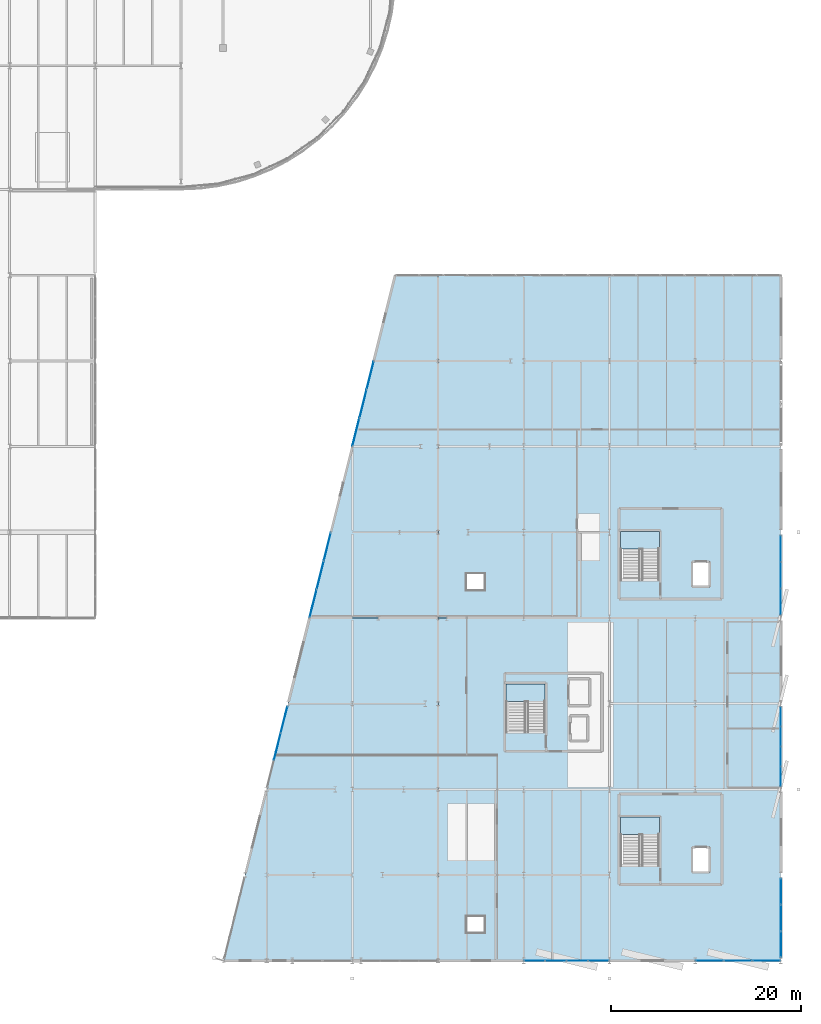
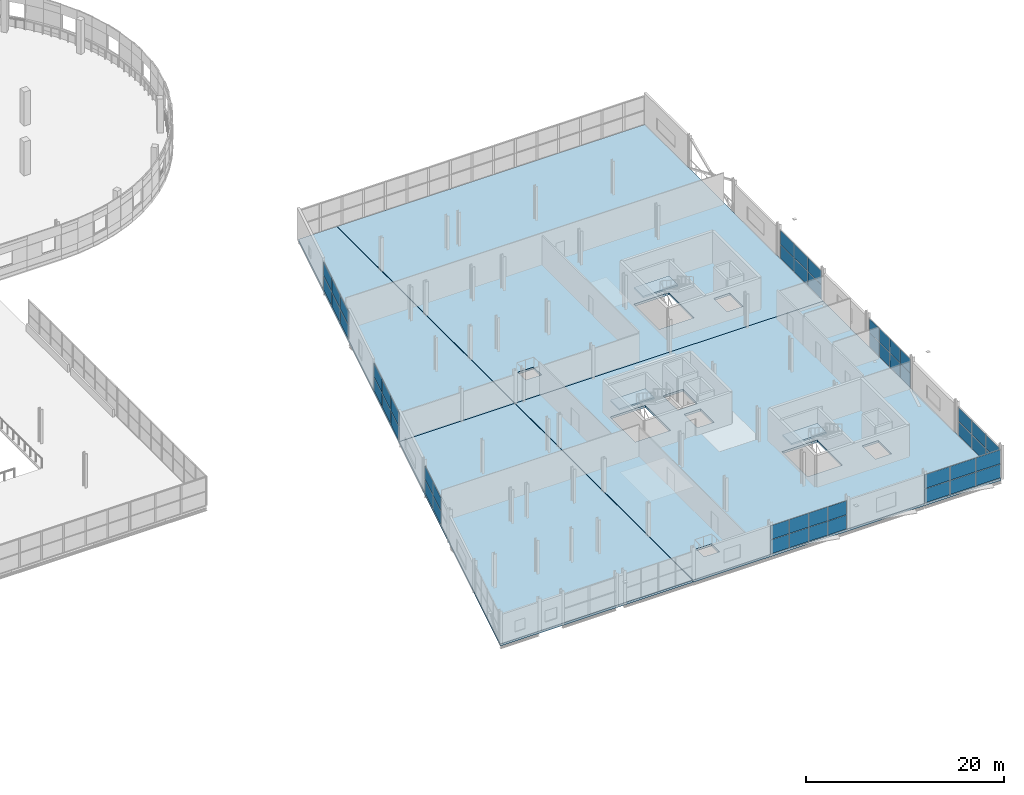
# One storey, part 66 of 88: 50 plates, 7 slabs, 11 elements without a shape of their own.
"""IFC4 building model written with IfcOpenShell, lengths in metres."""

from ifc_helpers import new_model, si_unit, direction, frame, origin, origin_2d, place, context, subcontext, project, spatial, polyline, rectangle, outline, extrude, material, layer, layer_set, type_object, element, aggregate, save


model = new_model("IFC4")

# Units and contexts
model_context = context("Model", 3, precision=1e-05, world=origin(), true_north=direction((0.0, 1.0)))
body_context = subcontext(model_context, "Body", "Model", "MODEL_VIEW")
ifc_project = project(units=[si_unit("LENGTHUNIT", "METRE"), si_unit("AREAUNIT", "SQUARE_METRE"), si_unit("VOLUMEUNIT", "CUBIC_METRE"), si_unit("PLANEANGLEUNIT", "RADIAN"), si_unit("MASSUNIT", "GRAM", prefix="KILO")], contexts=[model_context])

# Site, building, storey
site_placement = place(None, origin())
site = spatial("IfcSite", under=ifc_project, at=site_placement, CompositionType="ELEMENT")
building_placement = place(site_placement, origin())
building = spatial("IfcBuilding", under=site, at=building_placement, Name="Deido Ridge Mobility Hub", CompositionType="ELEMENT")
storey_placement = place(building_placement, frame((0.0, 0.0, 16.800048828125)))
storey = spatial("IfcBuildingStorey", under=building, at=storey_placement, Name="L04", CompositionType="ELEMENT", Elevation=16.800048828125)

# Curtain wall, plates
ifc_material_1 = material(Name="Anodised aluminium EN AW-6063 T6", Category="aluminium")
ifc_layer_1 = layer(ifc_material_1, 0.1650390625, Name="Anodised aluminium EN AW-6063 T6")
ifc_layer_set_1 = layer_set([ifc_layer_1], Name="Anodised aluminium EN AW-6063 T6")
curtain_wall_type_1 = type_object("IfcCurtainWallType", Name="CW-UF-1", PredefinedType="USERDEFINED", material=ifc_layer_set_1)
curtain_wall_1_placement = place(storey_placement, origin())
curtain_wall_1 = element("IfcCurtainWall", 1, at=curtain_wall_1_placement, inside=storey, type_object=curtain_wall_type_1, Name="Unitised curtain wall CW1", ObjectType="UNITISED FACADE", PredefinedType="USERDEFINED")
ifc_material_2 = material(Name="Laminated solar-control low-E glass", Category="glass")
ifc_layer_2 = layer(ifc_material_2, 0.02587890625, Name="Laminated solar-control low-E glass")
ifc_layer_set_2 = layer_set([ifc_layer_2], Name="Laminated solar-control low-E glass")
plate_type_1 = type_object("IfcPlateType", Name="PLT-CWP-26", PredefinedType="CURTAIN_PANEL", material=ifc_layer_set_2)
plate_1_placement = place(storey_placement, frame((180.0, 19.362548828125, 0.0498046875), z_axis=(0.0, 0.0, 1.0), x_axis=(0.0, 1.0, 0.0)))
plate_1 = element("IfcPlate", 2, at=plate_1_placement, type_object=plate_type_1, Name="CW1 panel 1.1", PredefinedType="CURTAIN_PANEL", context=body_context, shape_type="SweptSolid", body=[
    extrude(rectangle(XDim=2.02490234375, YDim=0.02587890625, at=origin_2d()), origin(), (0.0, 0.0, 1.0), 1.72509765625),
])
plate_2_placement = place(storey_placement, frame((180.0, 19.362548828125, 1.824951171875), z_axis=(0.0, 0.0, 1.0), x_axis=(0.0, 1.0, 0.0)))
plate_2 = element("IfcPlate", 3, at=plate_2_placement, type_object=plate_type_1, Name="CW1 panel 1.2", PredefinedType="CURTAIN_PANEL", context=body_context, shape_type="SweptSolid", body=[
    extrude(rectangle(XDim=2.02490234375, YDim=0.02587890625, at=origin_2d()), origin(), (0.0, 0.0, 1.0), 1.72509765625),
])
plate_3_placement = place(storey_placement, frame((180.0, 21.449951171875, 0.0498046875), z_axis=(0.0, 0.0, 1.0), x_axis=(0.0, 1.0, 0.0)))
plate_3 = element("IfcPlate", 4, at=plate_3_placement, type_object=plate_type_1, Name="CW1 panel 2.1", PredefinedType="CURTAIN_PANEL", context=body_context, shape_type="SweptSolid", body=[
    extrude(rectangle(XDim=2.050048828125, YDim=0.02587890625, at=origin_2d()), origin(), (0.0, 0.0, 1.0), 1.72509765625),
])
plate_4_placement = place(storey_placement, frame((180.0, 21.449951171875, 1.824951171875), z_axis=(0.0, 0.0, 1.0), x_axis=(0.0, 1.0, 0.0)))
plate_4 = element("IfcPlate", 5, at=plate_4_placement, type_object=plate_type_1, Name="CW1 panel 2.2", PredefinedType="CURTAIN_PANEL", context=body_context, shape_type="SweptSolid", body=[
    extrude(rectangle(XDim=2.050048828125, YDim=0.02587890625, at=origin_2d()), origin(), (0.0, 0.0, 1.0), 1.72509765625),
])
plate_5_placement = place(storey_placement, frame((180.0, 23.550048828125, 0.0498046875), z_axis=(0.0, 0.0, 1.0), x_axis=(0.0, 1.0, 0.0)))
plate_5 = element("IfcPlate", 6, at=plate_5_placement, type_object=plate_type_1, Name="CW1 panel 3.1", PredefinedType="CURTAIN_PANEL", context=body_context, shape_type="SweptSolid", body=[
    extrude(rectangle(XDim=2.050048828125, YDim=0.02587890625, at=origin_2d()), origin(), (0.0, 0.0, 1.0), 1.72509765625),
])
plate_6_placement = place(storey_placement, frame((180.0, 23.550048828125, 1.824951171875), z_axis=(0.0, 0.0, 1.0), x_axis=(0.0, 1.0, 0.0)))
plate_6 = element("IfcPlate", 7, at=plate_6_placement, type_object=plate_type_1, Name="CW1 panel 3.2", PredefinedType="CURTAIN_PANEL", context=body_context, shape_type="SweptSolid", body=[
    extrude(rectangle(XDim=2.050048828125, YDim=0.02587890625, at=origin_2d()), origin(), (0.0, 0.0, 1.0), 1.72509765625),
])
plate_7_placement = place(storey_placement, frame((180.0, 25.637451171875, 0.0498046875), z_axis=(0.0, 0.0, 1.0), x_axis=(0.0, 1.0, 0.0)))
plate_7 = element("IfcPlate", 8, at=plate_7_placement, type_object=plate_type_1, Name="CW1 panel 4.1", PredefinedType="CURTAIN_PANEL", context=body_context, shape_type="SweptSolid", body=[
    extrude(rectangle(XDim=2.02490234375, YDim=0.02587890625, at=origin_2d()), origin(), (0.0, 0.0, 1.0), 1.72509765625),
])
plate_8_placement = place(storey_placement, frame((180.0, 25.637451171875, 1.824951171875), z_axis=(0.0, 0.0, 1.0), x_axis=(0.0, 1.0, 0.0)))
plate_8 = element("IfcPlate", 9, at=plate_8_placement, type_object=plate_type_1, Name="CW1 panel 4.2", PredefinedType="CURTAIN_PANEL", context=body_context, shape_type="SweptSolid", body=[
    extrude(rectangle(XDim=2.02490234375, YDim=0.02587890625, at=origin_2d()), origin(), (0.0, 0.0, 1.0), 1.72509765625),
])
aggregate(curtain_wall_1, [plate_1, plate_2, plate_3, plate_4, plate_5, plate_6, plate_7, plate_8])

ifc_layer_3 = layer(ifc_material_1, 0.195068359375, Name="Anodised aluminium EN AW-6063 T6")
ifc_layer_set_3 = layer_set([ifc_layer_3], Name="Anodised aluminium EN AW-6063 T6")
curtain_wall_type_2 = type_object("IfcCurtainWallType", Name="CW-UF-3", PredefinedType="USERDEFINED", material=ifc_layer_set_3)
curtain_wall_2_placement = place(storey_placement, origin())
curtain_wall_2 = element("IfcCurtainWall", 10, at=curtain_wall_2_placement, inside=storey, type_object=curtain_wall_type_2, Name="Unitised curtain wall CW3", ObjectType="UNITISED FACADE", PredefinedType="USERDEFINED")
ifc_layer_4 = layer(ifc_material_2, 0.031005859375, Name="Laminated solar-control low-E glass")
ifc_layer_set_4 = layer_set([ifc_layer_4], Name="Laminated solar-control low-E glass")
plate_type_2 = type_object("IfcPlateType", Name="PLT-CWP-31", PredefinedType="CURTAIN_PANEL", material=ifc_layer_set_4)
plate_9_placement = place(storey_placement, frame((154.145751953125, 0.0, 0.06005859375), z_axis=(0.0, 0.0, 1.0), x_axis=(1.0, 0.0, 0.0)))
plate_9 = element("IfcPlate", 11, at=plate_9_placement, type_object=plate_type_2, Name="CW3 panel 1.1", PredefinedType="CURTAIN_PANEL", context=body_context, shape_type="SweptSolid", body=[
    extrude(rectangle(XDim=2.15625, YDim=0.031005859375, at=origin_2d()), origin(), (0.0, 0.0, 1.0), 1.7099609375),
])
plate_10_placement = place(storey_placement, frame((154.145751953125, 0.0, 1.830078125), z_axis=(0.0, 0.0, 1.0), x_axis=(1.0, 0.0, 0.0)))
plate_10 = element("IfcPlate", 12, at=plate_10_placement, type_object=plate_type_2, Name="CW3 panel 1.2", PredefinedType="CURTAIN_PANEL", context=body_context, shape_type="SweptSolid", body=[
    extrude(rectangle(XDim=2.15625, YDim=0.031005859375, at=origin_2d()), origin(), (0.0, 0.0, 1.0), 1.7099609375),
])
plate_11_placement = place(storey_placement, frame((156.376953125, 0.0, 0.06005859375), z_axis=(0.0, 0.0, 1.0), x_axis=(1.0, 0.0, 0.0)))
plate_11 = element("IfcPlate", 13, at=plate_11_placement, type_object=plate_type_2, Name="CW3 panel 2.1", PredefinedType="CURTAIN_PANEL", context=body_context, shape_type="SweptSolid", body=[
    extrude(rectangle(XDim=2.18603515625, YDim=0.031005859375, at=origin_2d()), origin(), (0.0, 0.0, 1.0), 1.7099609375),
])
plate_12_placement = place(storey_placement, frame((156.376953125, 0.0, 1.830078125), z_axis=(0.0, 0.0, 1.0), x_axis=(1.0, 0.0, 0.0)))
plate_12 = element("IfcPlate", 14, at=plate_12_placement, type_object=plate_type_2, Name="CW3 panel 2.2", PredefinedType="CURTAIN_PANEL", context=body_context, shape_type="SweptSolid", body=[
    extrude(rectangle(XDim=2.18603515625, YDim=0.031005859375, at=origin_2d()), origin(), (0.0, 0.0, 1.0), 1.7099609375),
])
plate_13_placement = place(storey_placement, frame((158.623046875, 0.0, 0.06005859375), z_axis=(0.0, 0.0, 1.0), x_axis=(1.0, 0.0, 0.0)))
plate_13 = element("IfcPlate", 15, at=plate_13_placement, type_object=plate_type_2, Name="CW3 panel 3.1", PredefinedType="CURTAIN_PANEL", context=body_context, shape_type="SweptSolid", body=[
    extrude(rectangle(XDim=2.18603515625, YDim=0.031005859375, at=origin_2d()), origin(), (0.0, 0.0, 1.0), 1.7099609375),
])
plate_14_placement = place(storey_placement, frame((158.623046875, 0.0, 1.830078125), z_axis=(0.0, 0.0, 1.0), x_axis=(1.0, 0.0, 0.0)))
plate_14 = element("IfcPlate", 16, at=plate_14_placement, type_object=plate_type_2, Name="CW3 panel 3.2", PredefinedType="CURTAIN_PANEL", context=body_context, shape_type="SweptSolid", body=[
    extrude(rectangle(XDim=2.18603515625, YDim=0.031005859375, at=origin_2d()), origin(), (0.0, 0.0, 1.0), 1.7099609375),
])
plate_15_placement = place(storey_placement, frame((160.854248046875, 0.0, 0.06005859375), z_axis=(0.0, 0.0, 1.0), x_axis=(1.0, 0.0, 0.0)))
plate_15 = element("IfcPlate", 17, at=plate_15_placement, type_object=plate_type_2, Name="CW3 panel 4.1", PredefinedType="CURTAIN_PANEL", context=body_context, shape_type="SweptSolid", body=[
    extrude(rectangle(XDim=2.15625, YDim=0.031005859375, at=origin_2d()), origin(), (0.0, 0.0, 1.0), 1.7099609375),
])
plate_16_placement = place(storey_placement, frame((160.854248046875, 0.0, 1.830078125), z_axis=(0.0, 0.0, 1.0), x_axis=(1.0, 0.0, 0.0)))
plate_16 = element("IfcPlate", 18, at=plate_16_placement, type_object=plate_type_2, Name="CW3 panel 4.2", PredefinedType="CURTAIN_PANEL", context=body_context, shape_type="SweptSolid", body=[
    extrude(rectangle(XDim=2.15625, YDim=0.031005859375, at=origin_2d()), origin(), (0.0, 0.0, 1.0), 1.7099609375),
])
aggregate(curtain_wall_2, [plate_9, plate_10, plate_11, plate_12, plate_13, plate_14, plate_15, plate_16])

curtain_wall_3_placement = place(storey_placement, origin())
curtain_wall_3 = element("IfcCurtainWall", 19, at=curtain_wall_3_placement, inside=storey, type_object=curtain_wall_type_2, Name="Unitised curtain wall CW3", ObjectType="UNITISED FACADE", PredefinedType="USERDEFINED")
plate_17_placement = place(storey_placement, frame((180.0, 37.715087890625, 0.06005859375), z_axis=(0.0, 0.0, 1.0), x_axis=(0.0, 1.0, 0.0)))
plate_17 = element("IfcPlate", 20, at=plate_17_placement, type_object=plate_type_2, Name="CW3 panel 1.1", PredefinedType="CURTAIN_PANEL", context=body_context, shape_type="SweptSolid", body=[
    extrude(rectangle(XDim=2.7099609375, YDim=0.031005859375, at=origin_2d()), origin(), (0.0, 0.0, 1.0), 1.7099609375),
])
plate_18_placement = place(storey_placement, frame((180.0, 37.715087890625, 1.830078125), z_axis=(0.0, 0.0, 1.0), x_axis=(0.0, 1.0, 0.0)))
plate_18 = element("IfcPlate", 21, at=plate_18_placement, type_object=plate_type_2, Name="CW3 panel 1.2", PredefinedType="CURTAIN_PANEL", context=body_context, shape_type="SweptSolid", body=[
    extrude(rectangle(XDim=2.7099609375, YDim=0.031005859375, at=origin_2d()), origin(), (0.0, 0.0, 1.0), 1.7099609375),
])
plate_19_placement = place(storey_placement, frame((180.0, 40.5, 0.06005859375), z_axis=(0.0, 0.0, 1.0), x_axis=(0.0, 1.0, 0.0)))
plate_19 = element("IfcPlate", 22, at=plate_19_placement, type_object=plate_type_2, Name="CW3 panel 2.1", PredefinedType="CURTAIN_PANEL", context=body_context, shape_type="SweptSolid", body=[
    extrude(rectangle(XDim=2.739990234375, YDim=0.031005859375, at=origin_2d()), origin(), (0.0, 0.0, 1.0), 1.7099609375),
])
plate_20_placement = place(storey_placement, frame((180.0, 40.5, 1.830078125), z_axis=(0.0, 0.0, 1.0), x_axis=(0.0, 1.0, 0.0)))
plate_20 = element("IfcPlate", 23, at=plate_20_placement, type_object=plate_type_2, Name="CW3 panel 2.2", PredefinedType="CURTAIN_PANEL", context=body_context, shape_type="SweptSolid", body=[
    extrude(rectangle(XDim=2.739990234375, YDim=0.031005859375, at=origin_2d()), origin(), (0.0, 0.0, 1.0), 1.7099609375),
])
plate_21_placement = place(storey_placement, frame((180.0, 43.284912109375, 0.06005859375), z_axis=(0.0, 0.0, 1.0), x_axis=(0.0, 1.0, 0.0)))
plate_21 = element("IfcPlate", 24, at=plate_21_placement, type_object=plate_type_2, Name="CW3 panel 3.1", PredefinedType="CURTAIN_PANEL", context=body_context, shape_type="SweptSolid", body=[
    extrude(rectangle(XDim=2.7099609375, YDim=0.031005859375, at=origin_2d()), origin(), (0.0, 0.0, 1.0), 1.7099609375),
])
plate_22_placement = place(storey_placement, frame((180.0, 43.284912109375, 1.830078125), z_axis=(0.0, 0.0, 1.0), x_axis=(0.0, 1.0, 0.0)))
plate_22 = element("IfcPlate", 25, at=plate_22_placement, type_object=plate_type_2, Name="CW3 panel 3.2", PredefinedType="CURTAIN_PANEL", context=body_context, shape_type="SweptSolid", body=[
    extrude(rectangle(XDim=2.7099609375, YDim=0.031005859375, at=origin_2d()), origin(), (0.0, 0.0, 1.0), 1.7099609375),
])
aggregate(curtain_wall_3, [plate_17, plate_18, plate_19, plate_20, plate_21, plate_22])

ifc_layer_5 = layer(ifc_material_1, 0.2099609375, Name="Anodised aluminium EN AW-6063 T6")
ifc_layer_set_5 = layer_set([ifc_layer_5], Name="Anodised aluminium EN AW-6063 T6")
curtain_wall_type_3 = type_object("IfcCurtainWallType", Name="CW-UF-4", PredefinedType="USERDEFINED", material=ifc_layer_set_5)
curtain_wall_4_placement = place(storey_placement, origin())
curtain_wall_4 = element("IfcCurtainWall", 26, at=curtain_wall_4_placement, inside=storey, type_object=curtain_wall_type_3, Name="Unitised curtain wall CW4", ObjectType="UNITISED FACADE", PredefinedType="USERDEFINED")
plate_23_placement = place(storey_placement, frame((127.123046875, 22.492431640625, 0.06005859375), z_axis=(0.0, 0.0, 1.0), x_axis=(0.242530267235, 0.97014383958, 0.0)))
plate_23 = element("IfcPlate", 27, at=plate_23_placement, type_object=plate_type_2, Name="CW4 panel 2.1", PredefinedType="CURTAIN_PANEL", context=body_context, shape_type="SweptSolid", body=[
    extrude(rectangle(XDim=2.86767578125, YDim=0.031005859375, at=origin_2d()), origin(), (0.0, 0.0, 1.0), 1.652587890625),
])
plate_24_placement = place(storey_placement, frame((127.123046875, 22.492431640625, 1.7724609375), z_axis=(0.0, 0.0, 1.0), x_axis=(0.242530267235, 0.97014383958, 0.0)))
plate_24 = element("IfcPlate", 28, at=plate_24_placement, type_object=plate_type_2, Name="CW4 panel 2.2", PredefinedType="CURTAIN_PANEL", context=body_context, shape_type="SweptSolid", body=[
    extrude(rectangle(XDim=2.86767578125, YDim=0.031005859375, at=origin_2d()), origin(), (0.0, 0.0, 1.0), 1.652587890625),
])
plate_25_placement = place(storey_placement, frame((127.82958984375, 25.318115234375, 0.06005859375), z_axis=(0.0, 0.0, 1.0), x_axis=(0.242530267235, 0.97014383958, 0.0)))
plate_25 = element("IfcPlate", 29, at=plate_25_placement, type_object=plate_type_2, Name="CW4 panel 3.1", PredefinedType="CURTAIN_PANEL", context=body_context, shape_type="SweptSolid", body=[
    extrude(rectangle(XDim=2.837646484375, YDim=0.031005859375, at=origin_2d()), origin(), (0.0, 0.0, 1.0), 1.652587890625),
])
plate_26_placement = place(storey_placement, frame((127.82958984375, 25.318115234375, 1.7724609375), z_axis=(0.0, 0.0, 1.0), x_axis=(0.242530267235, 0.97014383958, 0.0)))
plate_26 = element("IfcPlate", 30, at=plate_26_placement, type_object=plate_type_2, Name="CW4 panel 3.2", PredefinedType="CURTAIN_PANEL", context=body_context, shape_type="SweptSolid", body=[
    extrude(rectangle(XDim=2.837646484375, YDim=0.031005859375, at=origin_2d()), origin(), (0.0, 0.0, 1.0), 1.652587890625),
])
aggregate(curtain_wall_4, [plate_23, plate_24, plate_25, plate_26])

ifc_layer_6 = layer(ifc_material_1, 0.22509765625, Name="Anodised aluminium EN AW-6063 T6")
ifc_layer_set_6 = layer_set([ifc_layer_6], Name="Anodised aluminium EN AW-6063 T6")
curtain_wall_type_4 = type_object("IfcCurtainWallType", Name="CW-UF-5", PredefinedType="USERDEFINED", material=ifc_layer_set_6)
curtain_wall_5_placement = place(storey_placement, origin())
curtain_wall_5 = element("IfcCurtainWall", 31, at=curtain_wall_5_placement, inside=storey, type_object=curtain_wall_type_4, Name="Unitised curtain wall CW5", ObjectType="UNITISED FACADE", PredefinedType="USERDEFINED")
ifc_layer_7 = layer(ifc_material_2, 0.034912109375, Name="Laminated solar-control low-E glass")
ifc_layer_set_7 = layer_set([ifc_layer_7], Name="Laminated solar-control low-E glass")
plate_type_3 = type_object("IfcPlateType", Name="PLT-CWP-35", PredefinedType="CURTAIN_PANEL", material=ifc_layer_set_7)
plate_27_placement = place(storey_placement, frame((172.522705078125, 0.0, 0.06982421875), z_axis=(0.0, 0.0, 1.0), x_axis=(1.0, 0.0, 0.0)))
plate_27 = element("IfcPlate", 32, at=plate_27_placement, type_object=plate_type_3, Name="CW5 panel 1.1", PredefinedType="CURTAIN_PANEL", context=body_context, shape_type="SweptSolid", body=[
    extrude(rectangle(XDim=2.889892578125, YDim=0.034912109375, at=origin_2d()), origin(), (0.0, 0.0, 1.0), 1.695068359375),
])
plate_28_placement = place(storey_placement, frame((172.522705078125, 0.0, 1.8349609375), z_axis=(0.0, 0.0, 1.0), x_axis=(1.0, 0.0, 0.0)))
plate_28 = element("IfcPlate", 33, at=plate_28_placement, type_object=plate_type_3, Name="CW5 panel 1.2", PredefinedType="CURTAIN_PANEL", context=body_context, shape_type="SweptSolid", body=[
    extrude(rectangle(XDim=2.889892578125, YDim=0.034912109375, at=origin_2d()), origin(), (0.0, 0.0, 1.0), 1.695068359375),
])
plate_29_placement = place(storey_placement, frame((175.5, 0.0, 0.06982421875), z_axis=(0.0, 0.0, 1.0), x_axis=(1.0, 0.0, 0.0)))
plate_29 = element("IfcPlate", 34, at=plate_29_placement, type_object=plate_type_3, Name="CW5 panel 2.1", PredefinedType="CURTAIN_PANEL", context=body_context, shape_type="SweptSolid", body=[
    extrude(rectangle(XDim=2.9248046875, YDim=0.034912109375, at=origin_2d()), origin(), (0.0, 0.0, 1.0), 1.695068359375),
])
plate_30_placement = place(storey_placement, frame((175.5, 0.0, 1.8349609375), z_axis=(0.0, 0.0, 1.0), x_axis=(1.0, 0.0, 0.0)))
plate_30 = element("IfcPlate", 35, at=plate_30_placement, type_object=plate_type_3, Name="CW5 panel 2.2", PredefinedType="CURTAIN_PANEL", context=body_context, shape_type="SweptSolid", body=[
    extrude(rectangle(XDim=2.9248046875, YDim=0.034912109375, at=origin_2d()), origin(), (0.0, 0.0, 1.0), 1.695068359375),
])
plate_31_placement = place(storey_placement, frame((178.477294921875, 0.0, 0.06982421875), z_axis=(0.0, 0.0, 1.0), x_axis=(1.0, 0.0, 0.0)))
plate_31 = element("IfcPlate", 36, at=plate_31_placement, type_object=plate_type_3, Name="CW5 panel 3.1", PredefinedType="CURTAIN_PANEL", context=body_context, shape_type="SweptSolid", body=[
    extrude(rectangle(XDim=2.889892578125, YDim=0.034912109375, at=origin_2d()), origin(), (0.0, 0.0, 1.0), 1.695068359375),
])
plate_32_placement = place(storey_placement, frame((178.477294921875, 0.0, 1.8349609375), z_axis=(0.0, 0.0, 1.0), x_axis=(1.0, 0.0, 0.0)))
plate_32 = element("IfcPlate", 37, at=plate_32_placement, type_object=plate_type_3, Name="CW5 panel 3.2", PredefinedType="CURTAIN_PANEL", context=body_context, shape_type="SweptSolid", body=[
    extrude(rectangle(XDim=2.889892578125, YDim=0.034912109375, at=origin_2d()), origin(), (0.0, 0.0, 1.0), 1.695068359375),
])
aggregate(curtain_wall_5, [plate_27, plate_28, plate_29, plate_30, plate_31, plate_32])

ifc_layer_8 = layer(ifc_material_1, 0.239990234375, Name="Anodised aluminium EN AW-6063 T6")
ifc_layer_set_8 = layer_set([ifc_layer_8], Name="Anodised aluminium EN AW-6063 T6")
curtain_wall_type_5 = type_object("IfcCurtainWallType", Name="CW-UF-6", PredefinedType="USERDEFINED", material=ifc_layer_set_8)
curtain_wall_6_placement = place(storey_placement, origin())
curtain_wall_6 = element("IfcCurtainWall", 38, at=curtain_wall_6_placement, inside=storey, type_object=curtain_wall_type_5, Name="Unitised curtain wall CW6", ObjectType="UNITISED FACADE", PredefinedType="USERDEFINED")
plate_33_placement = place(storey_placement, frame((130.879150390625, 37.51708984375, 0.06982421875), z_axis=(0.0, 0.0, 1.0), x_axis=(0.242535625038, 0.970142500145, 0.0)))
plate_33 = element("IfcPlate", 39, at=plate_33_placement, type_object=plate_type_3, Name="CW6 panel 1.1", PredefinedType="CURTAIN_PANEL", context=body_context, shape_type="SweptSolid", body=[
    extrude(rectangle(XDim=2.9873046875, YDim=0.034912109375, at=origin_2d()), origin(), (0.0, 0.0, 1.0), 1.695068359375),
])
plate_34_placement = place(storey_placement, frame((130.879150390625, 37.51708984375, 1.8349609375), z_axis=(0.0, 0.0, 1.0), x_axis=(0.242535625038, 0.970142500145, 0.0)))
plate_34 = element("IfcPlate", 40, at=plate_34_placement, type_object=plate_type_3, Name="CW6 panel 1.2", PredefinedType="CURTAIN_PANEL", context=body_context, shape_type="SweptSolid", body=[
    extrude(rectangle(XDim=2.9873046875, YDim=0.034912109375, at=origin_2d()), origin(), (0.0, 0.0, 1.0), 1.695068359375),
])
plate_35_placement = place(storey_placement, frame((131.625, 40.5, 0.06982421875), z_axis=(0.0, 0.0, 1.0), x_axis=(0.242535625038, 0.970142500145, 0.0)))
plate_35 = element("IfcPlate", 41, at=plate_35_placement, type_object=plate_type_3, Name="CW6 panel 2.1", PredefinedType="CURTAIN_PANEL", context=body_context, shape_type="SweptSolid", body=[
    extrude(rectangle(XDim=3.022216796875, YDim=0.034912109375, at=origin_2d()), origin(), (0.0, 0.0, 1.0), 1.695068359375),
])
plate_36_placement = place(storey_placement, frame((131.625, 40.5, 1.8349609375), z_axis=(0.0, 0.0, 1.0), x_axis=(0.242535625038, 0.970142500145, 0.0)))
plate_36 = element("IfcPlate", 42, at=plate_36_placement, type_object=plate_type_3, Name="CW6 panel 2.2", PredefinedType="CURTAIN_PANEL", context=body_context, shape_type="SweptSolid", body=[
    extrude(rectangle(XDim=3.022216796875, YDim=0.034912109375, at=origin_2d()), origin(), (0.0, 0.0, 1.0), 1.695068359375),
])
plate_37_placement = place(storey_placement, frame((132.370849609375, 43.48291015625, 0.06982421875), z_axis=(0.0, 0.0, 1.0), x_axis=(0.242535625038, 0.970142500145, 0.0)))
plate_37 = element("IfcPlate", 43, at=plate_37_placement, type_object=plate_type_3, Name="CW6 panel 3.1", PredefinedType="CURTAIN_PANEL", context=body_context, shape_type="SweptSolid", body=[
    extrude(rectangle(XDim=2.9873046875, YDim=0.034912109375, at=origin_2d()), origin(), (0.0, 0.0, 1.0), 1.695068359375),
])
plate_38_placement = place(storey_placement, frame((132.370849609375, 43.48291015625, 1.8349609375), z_axis=(0.0, 0.0, 1.0), x_axis=(0.242535625038, 0.970142500145, 0.0)))
plate_38 = element("IfcPlate", 44, at=plate_38_placement, type_object=plate_type_3, Name="CW6 panel 3.2", PredefinedType="CURTAIN_PANEL", context=body_context, shape_type="SweptSolid", body=[
    extrude(rectangle(XDim=2.9873046875, YDim=0.034912109375, at=origin_2d()), origin(), (0.0, 0.0, 1.0), 1.695068359375),
])
aggregate(curtain_wall_6, [plate_33, plate_34, plate_35, plate_36, plate_37, plate_38])

ifc_layer_9 = layer(ifc_material_1, 0.2548828125, Name="Anodised aluminium EN AW-6063 T6")
ifc_layer_set_9 = layer_set([ifc_layer_9], Name="Anodised aluminium EN AW-6063 T6")
curtain_wall_type_6 = type_object("IfcCurtainWallType", Name="CW-UF-7", PredefinedType="USERDEFINED", material=ifc_layer_set_9)
curtain_wall_7_placement = place(storey_placement, origin())
curtain_wall_7 = element("IfcCurtainWall", 45, at=curtain_wall_7_placement, inside=storey, type_object=curtain_wall_type_6, Name="Unitised curtain wall CW7", ObjectType="UNITISED FACADE", PredefinedType="USERDEFINED")
ifc_layer_10 = layer(ifc_material_2, 0.0390625, Name="Laminated solar-control low-E glass")
ifc_layer_set_10 = layer_set([ifc_layer_10], Name="Laminated solar-control low-E glass")
plate_type_4 = type_object("IfcPlateType", Name="PLT-CWP-39", PredefinedType="CURTAIN_PANEL", material=ifc_layer_set_10)
plate_39_placement = place(storey_placement, frame((180.0, 1.719970703125, 0.080078125), z_axis=(0.0, 0.0, 1.0), x_axis=(0.0, 1.0, 0.0)))
plate_39 = element("IfcPlate", 46, at=plate_39_placement, type_object=plate_type_4, Name="CW7 panel 1.1", PredefinedType="CURTAIN_PANEL", context=body_context, shape_type="SweptSolid", body=[
    extrude(rectangle(XDim=2.679931640625, YDim=0.0390625, at=origin_2d()), origin(), (0.0, 0.0, 1.0), 1.679931640625),
])
plate_40_placement = place(storey_placement, frame((180.0, 1.719970703125, 1.83984375), z_axis=(0.0, 0.0, 1.0), x_axis=(0.0, 1.0, 0.0)))
plate_40 = element("IfcPlate", 47, at=plate_40_placement, type_object=plate_type_4, Name="CW7 panel 1.2", PredefinedType="CURTAIN_PANEL", context=body_context, shape_type="SweptSolid", body=[
    extrude(rectangle(XDim=2.679931640625, YDim=0.0390625, at=origin_2d()), origin(), (0.0, 0.0, 1.0), 1.679931640625),
])
plate_41_placement = place(storey_placement, frame((180.0, 4.5, 0.080078125), z_axis=(0.0, 0.0, 1.0), x_axis=(0.0, 1.0, 0.0)))
plate_41 = element("IfcPlate", 48, at=plate_41_placement, type_object=plate_type_4, Name="CW7 panel 2.1", PredefinedType="CURTAIN_PANEL", context=body_context, shape_type="SweptSolid", body=[
    extrude(rectangle(XDim=2.719970703125, YDim=0.0390625, at=origin_2d()), origin(), (0.0, 0.0, 1.0), 1.679931640625),
])
plate_42_placement = place(storey_placement, frame((180.0, 4.5, 1.83984375), z_axis=(0.0, 0.0, 1.0), x_axis=(0.0, 1.0, 0.0)))
plate_42 = element("IfcPlate", 49, at=plate_42_placement, type_object=plate_type_4, Name="CW7 panel 2.2", PredefinedType="CURTAIN_PANEL", context=body_context, shape_type="SweptSolid", body=[
    extrude(rectangle(XDim=2.719970703125, YDim=0.0390625, at=origin_2d()), origin(), (0.0, 0.0, 1.0), 1.679931640625),
])
plate_43_placement = place(storey_placement, frame((180.0, 7.280029296875, 0.080078125), z_axis=(0.0, 0.0, 1.0), x_axis=(0.0, 1.0, 0.0)))
plate_43 = element("IfcPlate", 50, at=plate_43_placement, type_object=plate_type_4, Name="CW7 panel 3.1", PredefinedType="CURTAIN_PANEL", context=body_context, shape_type="SweptSolid", body=[
    extrude(rectangle(XDim=2.679931640625, YDim=0.0390625, at=origin_2d()), origin(), (0.0, 0.0, 1.0), 1.679931640625),
])
plate_44_placement = place(storey_placement, frame((180.0, 7.280029296875, 1.83984375), z_axis=(0.0, 0.0, 1.0), x_axis=(0.0, 1.0, 0.0)))
plate_44 = element("IfcPlate", 51, at=plate_44_placement, type_object=plate_type_4, Name="CW7 panel 3.2", PredefinedType="CURTAIN_PANEL", context=body_context, shape_type="SweptSolid", body=[
    extrude(rectangle(XDim=2.679931640625, YDim=0.0390625, at=origin_2d()), origin(), (0.0, 0.0, 1.0), 1.679931640625),
])
aggregate(curtain_wall_7, [plate_39, plate_40, plate_41, plate_42, plate_43, plate_44])

ifc_layer_11 = layer(ifc_material_1, 0.27001953125, Name="Anodised aluminium EN AW-6063 T6")
ifc_layer_set_11 = layer_set([ifc_layer_11], Name="Anodised aluminium EN AW-6063 T6")
curtain_wall_type_7 = type_object("IfcCurtainWallType", Name="CW-UF-8", PredefinedType="USERDEFINED", material=ifc_layer_set_11)
curtain_wall_8_placement = place(storey_placement, origin())
curtain_wall_8 = element("IfcCurtainWall", 52, at=curtain_wall_8_placement, inside=storey, type_object=curtain_wall_type_7, Name="Unitised curtain wall CW8", ObjectType="UNITISED FACADE", PredefinedType="USERDEFINED")
plate_45_placement = place(storey_placement, frame((135.3798828125, 55.519287109375, 0.080078125), z_axis=(0.0, 0.0, 1.0), x_axis=(0.242535625038, 0.970142500145, 0.0)))
plate_45 = element("IfcPlate", 53, at=plate_45_placement, type_object=plate_type_4, Name="CW8 panel 1.1", PredefinedType="CURTAIN_PANEL", context=body_context, shape_type="SweptSolid", body=[
    extrude(rectangle(XDim=2.972412109375, YDim=0.0390625, at=origin_2d()), origin(), (0.0, 0.0, 1.0), 1.679931640625),
])
plate_46_placement = place(storey_placement, frame((135.3798828125, 55.519287109375, 1.83984375), z_axis=(0.0, 0.0, 1.0), x_axis=(0.242535625038, 0.970142500145, 0.0)))
plate_46 = element("IfcPlate", 54, at=plate_46_placement, type_object=plate_type_4, Name="CW8 panel 1.2", PredefinedType="CURTAIN_PANEL", context=body_context, shape_type="SweptSolid", body=[
    extrude(rectangle(XDim=2.972412109375, YDim=0.0390625, at=origin_2d()), origin(), (0.0, 0.0, 1.0), 1.679931640625),
])
plate_47_placement = place(storey_placement, frame((136.125, 58.5, 0.080078125), z_axis=(0.0, 0.0, 1.0), x_axis=(0.242535625038, 0.970142500145, 0.0)))
plate_47 = element("IfcPlate", 55, at=plate_47_placement, type_object=plate_type_4, Name="CW8 panel 2.1", PredefinedType="CURTAIN_PANEL", context=body_context, shape_type="SweptSolid", body=[
    extrude(rectangle(XDim=3.012451171875, YDim=0.0390625, at=origin_2d()), origin(), (0.0, 0.0, 1.0), 1.679931640625),
])
plate_48_placement = place(storey_placement, frame((136.125, 58.5, 1.83984375), z_axis=(0.0, 0.0, 1.0), x_axis=(0.242535625038, 0.970142500145, 0.0)))
plate_48 = element("IfcPlate", 56, at=plate_48_placement, type_object=plate_type_4, Name="CW8 panel 2.2", PredefinedType="CURTAIN_PANEL", context=body_context, shape_type="SweptSolid", body=[
    extrude(rectangle(XDim=3.012451171875, YDim=0.0390625, at=origin_2d()), origin(), (0.0, 0.0, 1.0), 1.679931640625),
])
plate_49_placement = place(storey_placement, frame((136.8701171875, 61.480712890625, 0.080078125), z_axis=(0.0, 0.0, 1.0), x_axis=(0.242535625038, 0.970142500145, 0.0)))
plate_49 = element("IfcPlate", 57, at=plate_49_placement, type_object=plate_type_4, Name="CW8 panel 3.1", PredefinedType="CURTAIN_PANEL", context=body_context, shape_type="SweptSolid", body=[
    extrude(rectangle(XDim=2.972412109375, YDim=0.0390625, at=origin_2d()), origin(), (0.0, 0.0, 1.0), 1.679931640625),
])
plate_50_placement = place(storey_placement, frame((136.8701171875, 61.480712890625, 1.83984375), z_axis=(0.0, 0.0, 1.0), x_axis=(0.242535625038, 0.970142500145, 0.0)))
plate_50 = element("IfcPlate", 58, at=plate_50_placement, type_object=plate_type_4, Name="CW8 panel 3.2", PredefinedType="CURTAIN_PANEL", context=body_context, shape_type="SweptSolid", body=[
    extrude(rectangle(XDim=2.972412109375, YDim=0.0390625, at=origin_2d()), origin(), (0.0, 0.0, 1.0), 1.679931640625),
])
aggregate(curtain_wall_8, [plate_45, plate_46, plate_47, plate_48, plate_49, plate_50])

# Slabs
ifc_material_3 = material(Name="Concrete C35/45", Category="concrete")
ifc_layer_12 = layer(ifc_material_3, 0.27490234375, Name="Concrete C35/45")
ifc_layer_set_12 = layer_set([ifc_layer_12], Name="Concrete C35/45")
slab_type_1 = type_object("IfcSlabType", Name="SLB-FLR-275", PredefinedType="FLOOR", material=ifc_layer_set_12)
slab_1_placement = place(storey_placement, frame((0.0, 0.0, -0.275146484375)))
element("IfcSlab", 59, at=slab_1_placement, inside=storey, type_object=slab_type_1, Name="L04 V6 structural deck 58", PredefinedType="FLOOR", context=body_context, shape_type="SweptSolid", body=[
    extrude(outline(polyline([(130.5, 36.0), (143.97509765625, 36.0), (143.97509765625, 0.0), (121.5, 0.0), (130.5, 36.0)])), origin(), (0.0, 0.0, 1.0), 0.275146484375),
])
slab_2_placement = place(storey_placement, frame((0.0, 0.0, -0.275146484375)))
element("IfcSlab", 60, at=slab_2_placement, inside=storey, type_object=slab_type_1, Name="L04 V6 structural deck 59", PredefinedType="FLOOR", context=body_context, shape_type="SweptSolid", body=[
    extrude(outline(polyline([(180.0, 36.0), (180.0, 0.0), (144.02490234375, 0.0), (144.02490234375, 36.0), (180.0, 36.0)]), holes=[polyline([(147.02490234375, 3.0), (147.02490234375, 4.60009765625), (148.824951171875, 4.60009765625), (148.824951171875, 3.0), (147.02490234375, 3.0)]), polyline([(170.64990234375, 9.25), (170.64990234375, 11.949951171875), (172.550048828125, 11.949951171875), (172.550048828125, 9.25), (170.64990234375, 9.25)]), polyline([(163.139892578125, 10.0), (163.139892578125, 15.10009765625), (167.239990234375, 15.10009765625), (167.239990234375, 10.0), (163.139892578125, 10.0)]), polyline([(157.85009765625, 23.050048828125), (157.85009765625, 25.75), (159.75, 25.75), (159.75, 23.050048828125), (157.85009765625, 23.050048828125)]), polyline([(151.139892578125, 24.0), (151.139892578125, 29.10009765625), (155.239990234375, 29.10009765625), (155.239990234375, 24.0), (151.139892578125, 24.0)]), polyline([(157.64990234375, 26.75), (157.64990234375, 29.64990234375), (159.949951171875, 29.64990234375), (159.949951171875, 26.75), (157.64990234375, 26.75)])]), origin(), (0.0, 0.0, 1.0), 0.275146484375),
])
slab_3_placement = place(storey_placement, frame((0.0, 0.0, -0.275146484375)))
element("IfcSlab", 61, at=slab_3_placement, inside=storey, type_object=slab_type_1, Name="L04 V6 structural deck 60", PredefinedType="FLOOR", context=body_context, shape_type="SweptSolid", body=[
    extrude(outline(polyline([(143.97509765625, 72.0), (143.97509765625, 36.0), (130.5, 36.0), (139.5, 72.0), (143.97509765625, 72.0)])), origin(), (0.0, 0.0, 1.0), 0.275146484375),
])
slab_4_placement = place(storey_placement, frame((0.0, 0.0, -0.275146484375)))
element("IfcSlab", 62, at=slab_4_placement, inside=storey, type_object=slab_type_1, Name="L04 V6 structural deck 61", PredefinedType="FLOOR", context=body_context, shape_type="SweptSolid", body=[
    extrude(outline(polyline([(180.0, 72.0), (180.0, 36.0), (144.02490234375, 36.0), (144.02490234375, 72.0), (180.0, 72.0)]), holes=[polyline([(147.02490234375, 39.0), (147.02490234375, 40.60009765625), (148.824951171875, 40.60009765625), (148.824951171875, 39.0), (147.02490234375, 39.0)]), polyline([(170.64990234375, 39.25), (170.64990234375, 41.949951171875), (172.550048828125, 41.949951171875), (172.550048828125, 39.25), (170.64990234375, 39.25)]), polyline([(163.139892578125, 40.0), (163.139892578125, 45.10009765625), (167.239990234375, 45.10009765625), (167.239990234375, 40.0), (163.139892578125, 40.0)])]), origin(), (0.0, 0.0, 1.0), 0.275146484375),
])

# Stair, slab
stair_type = type_object("IfcStairType", Name="ST-CORE-HALF-1520", PredefinedType="HALF_TURN_STAIR", material=ifc_material_3)
stair_1_placement = place(storey_placement, origin())
stair_1 = element("IfcStair", 63, at=stair_1_placement, inside=storey, type_object=stair_type, Name="Protected exit stair ST1 (L04)", PredefinedType="HALF_TURN_STAIR")
ifc_layer_13 = layer(ifc_material_3, 0.199951171875, Name="Concrete C35/45")
ifc_layer_set_13 = layer_set([ifc_layer_13], Name="Concrete C35/45")
slab_type_2 = type_object("IfcSlabType", Name="SLB-STLND-200", PredefinedType="LANDING", material=ifc_layer_set_13)
slab_5_placement = place(storey_placement, frame((0.0, 0.0, 1.89990234375)))
slab_5 = element("IfcSlab", 64, at=slab_5_placement, type_object=slab_type_2, Name="ST1 landing 1", PredefinedType="LANDING", context=body_context, shape_type="SweptSolid", body=[
    extrude(outline(polyline([(163.16259765625, 13.25), (167.235107421875, 13.25), (167.235107421875, 15.074951171875), (163.16259765625, 15.074951171875), (163.16259765625, 13.25)])), origin(), (0.0, 0.0, 1.0), 0.199951171875),
])
aggregate(stair_1, [slab_5])

stair_2_placement = place(storey_placement, origin())
stair_2 = element("IfcStair", 65, at=stair_2_placement, inside=storey, type_object=stair_type, Name="Protected exit stair ST2 (L04)", PredefinedType="HALF_TURN_STAIR")
slab_6_placement = place(storey_placement, frame((0.0, 0.0, 1.89990234375)))
slab_6 = element("IfcSlab", 66, at=slab_6_placement, type_object=slab_type_2, Name="ST2 landing 1", PredefinedType="LANDING", context=body_context, shape_type="SweptSolid", body=[
    extrude(outline(polyline([(163.16259765625, 43.25), (167.235107421875, 43.25), (167.235107421875, 45.074951171875), (163.16259765625, 45.074951171875), (163.16259765625, 43.25)])), origin(), (0.0, 0.0, 1.0), 0.199951171875),
])
aggregate(stair_2, [slab_6])

stair_3_placement = place(storey_placement, origin())
stair_3 = element("IfcStair", 67, at=stair_3_placement, inside=storey, type_object=stair_type, Name="Protected exit stair ST3 (L04)", PredefinedType="HALF_TURN_STAIR")
slab_7_placement = place(storey_placement, frame((0.0, 0.0, 1.89990234375)))
slab_7 = element("IfcSlab", 68, at=slab_7_placement, type_object=slab_type_2, Name="ST3 landing 1", PredefinedType="LANDING", context=body_context, shape_type="SweptSolid", body=[
    extrude(outline(polyline([(151.14990234375, 27.25), (155.235107421875, 27.25), (155.235107421875, 29.074951171875), (151.14990234375, 29.074951171875), (151.14990234375, 27.25)])), origin(), (0.0, 0.0, 1.0), 0.199951171875),
])
aggregate(stair_3, [slab_7])

save(model, "model.ifc")
